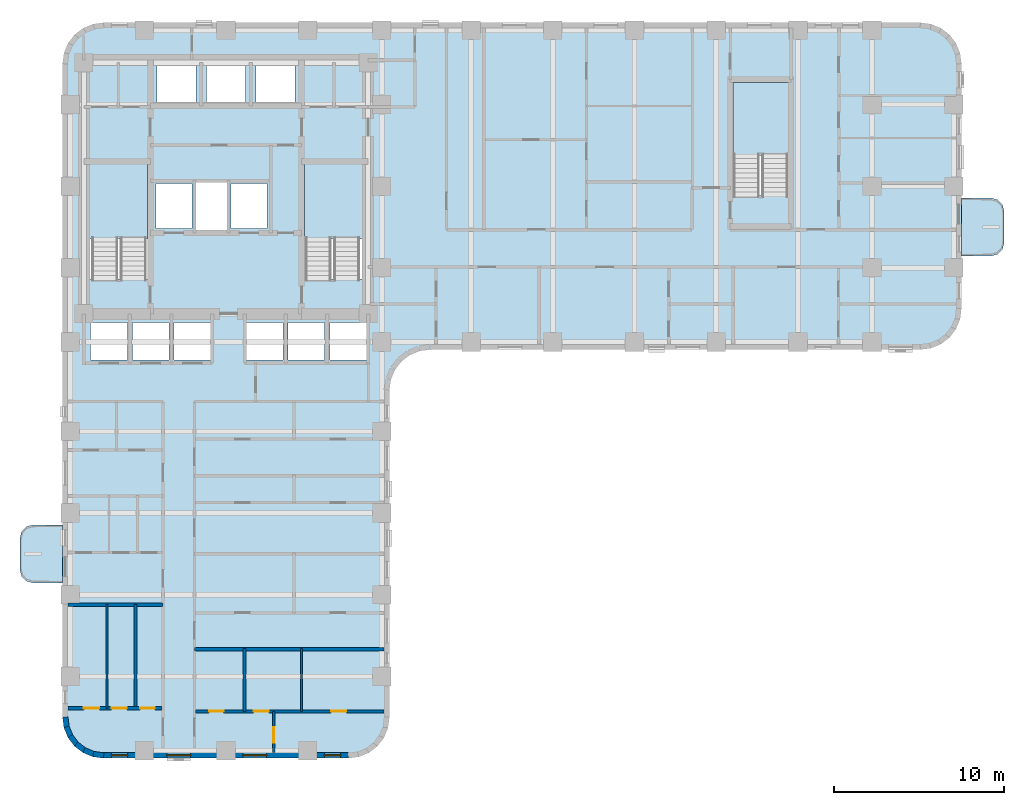
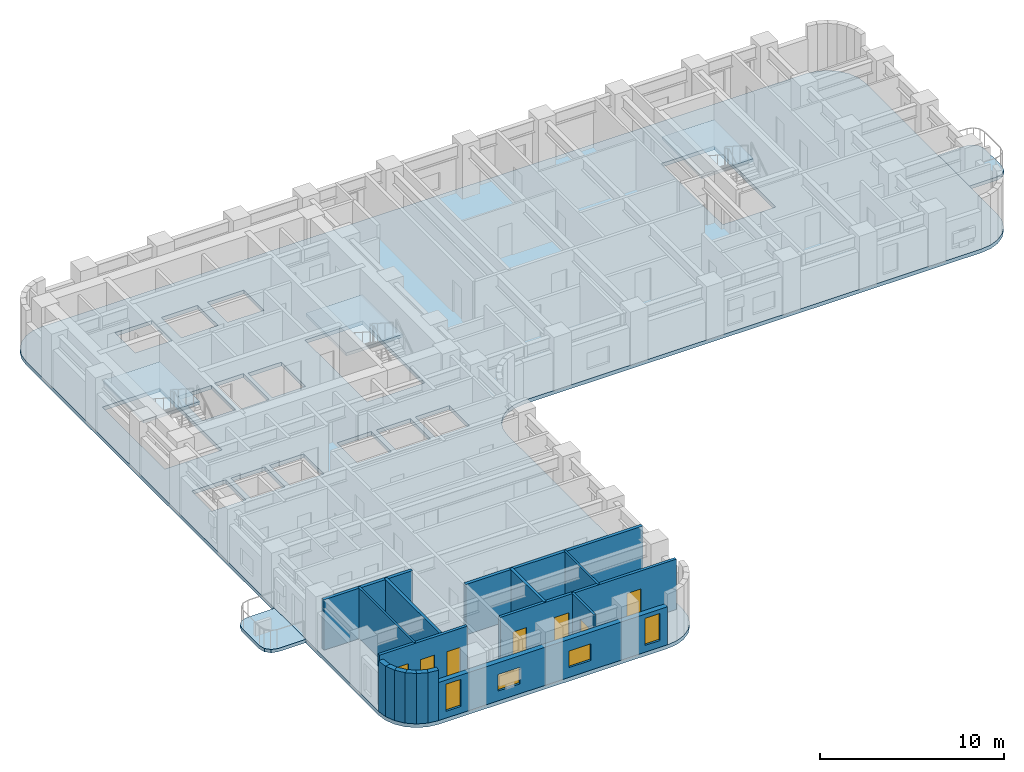
# One storey, part 2 of 12: 16 walls, 7 doors, 6 slabs, 4 windows, 11 openings, 3 elements without a shape of their own.
"""IFC4 building model written with IfcOpenShell, lengths in metres."""

from ifc_helpers import new_model, si_unit, direction, frame, frame_2d, origin, place, context, subcontext, project, spatial, polyline, rectangle, outline, extrude, material, layer, layer_set, type_object, element, fill, aggregate, save


model = new_model("IFC4")

# Units and contexts
model_context = context("Model", 3, precision=1e-05, world=origin(), true_north=direction((0.0, 1.0)))
body_context = subcontext(model_context, "Body", "Model", "MODEL_VIEW")
ifc_project = project(units=[si_unit("LENGTHUNIT", "METRE"), si_unit("AREAUNIT", "SQUARE_METRE"), si_unit("VOLUMEUNIT", "CUBIC_METRE"), si_unit("PLANEANGLEUNIT", "RADIAN"), si_unit("MASSUNIT", "GRAM", prefix="KILO")], contexts=[model_context])

# Site, building, storey
site_placement = place(None, origin())
site = spatial("IfcSite", under=ifc_project, at=site_placement, CompositionType="ELEMENT")
building_placement = place(site_placement, origin())
building = spatial("IfcBuilding", under=site, at=building_placement, Name="Orvandelia Arch Residences", CompositionType="ELEMENT")
storey_placement = place(building_placement, frame((0.0, 0.0, 43.0)))
storey = spatial("IfcBuildingStorey", under=building, at=storey_placement, Name="L10", CompositionType="ELEMENT", Elevation=43.0)

# Slabs
ifc_material_1 = material(Name="Precast concrete C40/50", Category="concrete")
ifc_layer_1 = layer(ifc_material_1, 0.219970703125, Name="Precast concrete C40/50", Category="concrete")
ifc_layer_set_1 = layer_set([ifc_layer_1], Name="Precast concrete C40/50")
slab_type_1 = type_object("IfcSlabType", Name="SLB-BAL-220", PredefinedType="USERDEFINED", material=ifc_layer_set_1)
slab_1_placement = place(storey_placement, frame((0.0, 0.0, -0.219970703125)))
element("IfcSlab", 1, at=slab_1_placement, inside=storey, type_object=slab_type_1, Name="Tree Balcony Cantilever Slab BAL-L10-W1", ObjectType="BALCONY", PredefinedType="USERDEFINED", context=body_context, shape_type="SweptSolid", body=[
    extrude(outline(polyline([(4.800048828125, 15.10009765625), (4.800048828125, 18.5), (3.050048828125, 18.5), (2.675048828125, 18.3994140625), (2.400390625, 18.125), (2.300048828125, 17.75), (2.300048828125, 15.85009765625), (2.400390625, 15.47509765625), (2.675048828125, 15.200439453125), (3.050048828125, 15.10009765625), (4.800048828125, 15.10009765625)])), origin(), (0.0, 0.0, 1.0), 0.219970703125),
])
slab_2_placement = place(storey_placement, frame((0.0, 0.0, -0.219970703125)))
element("IfcSlab", 2, at=slab_2_placement, inside=storey, type_object=slab_type_1, Name="Tree Balcony Cantilever Slab BAL-L10-E1", ObjectType="BALCONY", PredefinedType="USERDEFINED", context=body_context, shape_type="SweptSolid", body=[
    extrude(outline(polyline([(57.60009765625, 37.699951171875), (57.60009765625, 34.300048828125), (59.35009765625, 34.300048828125), (59.72509765625, 34.400390625), (59.99951171875, 34.675048828125), (60.10009765625, 35.050048828125), (60.10009765625, 36.949951171875), (59.99951171875, 37.324951171875), (59.72509765625, 37.599609375), (59.35009765625, 37.699951171875), (57.60009765625, 37.699951171875)])), origin(), (0.0, 0.0, 1.0), 0.219970703125),
])

# Stair, slab
ifc_material_2 = material(Name="Concrete C40/50", Category="concrete")
stair_type = type_object("IfcStairType", Name="STAIR-RC-DOGLEG", PredefinedType="HALF_TURN_STAIR", material=ifc_material_2)
stair_1_placement = place(storey_placement, origin())
stair_1 = element("IfcStair", 3, at=stair_1_placement, inside=storey, type_object=stair_type, Name="L10 Protected Exit Stair ST-1", PredefinedType="HALF_TURN_STAIR")
ifc_layer_2 = layer(ifc_material_2, 0.219970703125, Name="Concrete C40/50", Category="concrete")
ifc_layer_set_2 = layer_set([ifc_layer_2], Name="Concrete C40/50")
slab_type_2 = type_object("IfcSlabType", Name="SLB-LANDING-220", PredefinedType="LANDING", material=ifc_layer_set_2)
slab_3_placement = place(storey_placement, frame((0.0, 0.0, 1.60009765625)))
slab_3 = element("IfcSlab", 4, at=slab_3_placement, type_object=slab_type_2, Name="ST-1 landing 1", PredefinedType="LANDING", context=body_context, shape_type="SweptSolid", body=[
    extrude(outline(polyline([(9.800048828125, 35.31005859375), (9.800048828125, 39.68994140625), (6.260009765625, 39.68994140625), (6.260009765625, 35.31005859375), (9.800048828125, 35.31005859375)])), origin(), (0.0, 0.0, 1.0), 0.199951171875),
])
aggregate(stair_1, [slab_3])

stair_2_placement = place(storey_placement, origin())
stair_2 = element("IfcStair", 5, at=stair_2_placement, inside=storey, type_object=stair_type, Name="L10 Protected Exit Stair ST-2", PredefinedType="HALF_TURN_STAIR")
slab_4_placement = place(storey_placement, frame((0.0, 0.0, 1.60009765625)))
slab_4 = element("IfcSlab", 6, at=slab_4_placement, type_object=slab_type_2, Name="ST-2 landing 1", PredefinedType="LANDING", context=body_context, shape_type="SweptSolid", body=[
    extrude(outline(polyline([(22.5400390625, 35.31005859375), (22.5400390625, 39.68994140625), (19.0, 39.68994140625), (19.0, 35.31005859375), (22.5400390625, 35.31005859375)])), origin(), (0.0, 0.0, 1.0), 0.199951171875),
])
aggregate(stair_2, [slab_4])

stair_3_placement = place(storey_placement, origin())
stair_3 = element("IfcStair", 7, at=stair_3_placement, inside=storey, type_object=stair_type, Name="L10 East Wing Exit Stair ST-3", PredefinedType="HALF_TURN_STAIR")
slab_5_placement = place(storey_placement, frame((0.0, 0.0, 1.60009765625)))
slab_5 = element("IfcSlab", 8, at=slab_5_placement, type_object=slab_type_2, Name="ST-3 landing 1", PredefinedType="LANDING", context=body_context, shape_type="SweptSolid", body=[
    extrude(outline(polyline([(47.43994140625, 40.2099609375), (47.43994140625, 44.5), (44.179931640625, 44.5), (44.179931640625, 40.2099609375), (47.43994140625, 40.2099609375)])), origin(), (0.0, 0.0, 1.0), 0.199951171875),
])
aggregate(stair_3, [slab_5])

# Slab
ifc_layer_3 = layer(ifc_material_2, 0.25, Name="Concrete C40/50", Category="concrete")
ifc_layer_set_3 = layer_set([ifc_layer_3], Name="Concrete C40/50")
slab_type_3 = type_object("IfcSlabType", Name="SLB-TWR-250", PredefinedType="FLOOR", material=ifc_layer_set_3)
slab_6_placement = place(storey_placement, frame((0.0, 0.0, -0.25)))
element("IfcSlab", 9, at=slab_6_placement, inside=storey, type_object=slab_type_3, Name="Structural Floor Slab L10-1", PredefinedType="FLOOR", context=body_context, shape_type="SweptSolid", body=[
    extrude(outline(polyline([(4.800048828125, 7.199951171875), (4.8818359375, 6.578857421875), (5.12158203125, 6.0), (5.5029296875, 5.5029296875), (6.0, 5.12158203125), (6.578857421875, 4.8818359375), (7.199951171875, 4.800048828125), (21.60009765625, 4.800048828125), (22.22119140625, 4.8818359375), (22.800048828125, 5.12158203125), (23.297119140625, 5.5029296875), (23.678466796875, 6.0), (23.918212890625, 6.578857421875), (24.0, 7.199951171875), (24.0, 26.39990234375), (24.081787109375, 27.021240234375), (24.321533203125, 27.60009765625), (24.702880859375, 28.09716796875), (25.199951171875, 28.478515625), (25.77880859375, 28.71826171875), (26.39990234375, 28.800048828125), (55.199951171875, 28.800048828125), (55.8212890625, 28.8818359375), (56.39990234375, 29.12158203125), (56.897216796875, 29.5029296875), (57.278564453125, 30.0), (57.518310546875, 30.578857421875), (57.60009765625, 31.199951171875), (57.60009765625, 45.60009765625), (57.518310546875, 46.22119140625), (57.278564453125, 46.800048828125), (56.897216796875, 47.297119140625), (56.39990234375, 47.678466796875), (55.8212890625, 47.918212890625), (55.199951171875, 48.0), (7.199951171875, 48.0), (6.578857421875, 47.918212890625), (6.0, 47.678466796875), (5.5029296875, 47.297119140625), (5.12158203125, 46.800048828125), (4.8818359375, 46.22119140625), (4.800048828125, 45.60009765625), (4.800048828125, 7.199951171875)]), holes=[polyline([(6.219970703125, 32.949951171875), (9.840087890625, 32.949951171875), (9.840087890625, 39.72998046875), (6.219970703125, 39.72998046875), (6.219970703125, 32.949951171875)]), polyline([(18.9599609375, 32.949951171875), (22.580078125, 32.949951171875), (22.580078125, 39.72998046875), (18.9599609375, 39.72998046875), (18.9599609375, 32.949951171875)]), polyline([(44.139892578125, 37.85009765625), (47.47998046875, 37.85009765625), (47.47998046875, 44.5400390625), (44.139892578125, 44.5400390625), (44.139892578125, 37.85009765625)]), polyline([(12.639892578125, 35.81005859375), (14.4599609375, 35.81005859375), (14.4599609375, 38.639892578125), (12.639892578125, 38.639892578125), (12.639892578125, 35.81005859375)]), polyline([(10.300048828125, 35.89990234375), (12.39990234375, 35.89990234375), (12.39990234375, 38.550048828125), (10.300048828125, 38.550048828125), (10.300048828125, 35.89990234375)]), polyline([(14.699951171875, 35.89990234375), (16.800048828125, 35.89990234375), (16.800048828125, 38.550048828125), (14.699951171875, 38.550048828125), (14.699951171875, 35.89990234375)]), polyline([(10.35009765625, 43.300048828125), (12.64990234375, 43.300048828125), (12.64990234375, 45.5), (10.35009765625, 45.5), (10.35009765625, 43.300048828125)]), polyline([(13.25, 43.300048828125), (15.550048828125, 43.300048828125), (15.550048828125, 45.5), (13.25, 45.5), (13.25, 43.300048828125)]), polyline([(16.14990234375, 43.300048828125), (18.449951171875, 43.300048828125), (18.449951171875, 45.5), (16.14990234375, 45.5), (16.14990234375, 43.300048828125)]), polyline([(6.449951171875, 28.199951171875), (8.60009765625, 28.199951171875), (8.60009765625, 30.39990234375), (6.449951171875, 30.39990234375), (6.449951171875, 28.199951171875)]), polyline([(8.89990234375, 28.199951171875), (11.050048828125, 28.199951171875), (11.050048828125, 30.39990234375), (8.89990234375, 30.39990234375), (8.89990234375, 28.199951171875)]), polyline([(11.35009765625, 28.199951171875), (13.5, 28.199951171875), (13.5, 30.39990234375), (11.35009765625, 30.39990234375), (11.35009765625, 28.199951171875)]), polyline([(15.60009765625, 28.199951171875), (17.75, 28.199951171875), (17.75, 30.39990234375), (15.60009765625, 30.39990234375), (15.60009765625, 28.199951171875)]), polyline([(18.050048828125, 28.199951171875), (20.199951171875, 28.199951171875), (20.199951171875, 30.39990234375), (18.050048828125, 30.39990234375), (18.050048828125, 28.199951171875)]), polyline([(20.5, 28.199951171875), (22.64990234375, 28.199951171875), (22.64990234375, 30.39990234375), (20.5, 30.39990234375), (20.5, 28.199951171875)])]), origin(), (0.0, 0.0, 1.0), 0.25),
])

# Walls
ifc_layer_4 = layer(ifc_material_2, 0.199951171875, Name="Concrete C40/50", Category="concrete")
ifc_layer_set_4 = layer_set([ifc_layer_4], Name="Concrete C40/50")
wall_type_1 = type_object("IfcWallType", Name="WL-DEM-200", PredefinedType="SOLIDWALL", material=ifc_layer_set_4)
wall_1_placement = place(storey_placement, frame((5.1201171875, 13.800048828125, 0.0), z_axis=(0.0, 0.0, 1.0), x_axis=(1.0, 0.0, 0.0)))
element("IfcWall", 10, at=wall_1_placement, inside=storey, type_object=wall_type_1, Name="Interior Partition Wall WL-L10-DEM-WL-138", PredefinedType="SOLIDWALL", context=body_context, shape_type="SweptSolid", body=[
    extrude(rectangle(XDim=5.579833984375, YDim=0.199951171875, at=frame_2d((2.7900390625, 0.0))), origin(), (0.0, 0.0, 1.0), 3.35009765625),
])
wall_2_placement = place(storey_placement, frame((12.550048828125, 11.199951171875, 0.0), z_axis=(0.0, 0.0, 1.0), x_axis=(1.0, 0.0, 0.0)))
element("IfcWall", 11, at=wall_2_placement, inside=storey, type_object=wall_type_1, Name="Interior Partition Wall WL-L10-DEM-WR-112", PredefinedType="SOLIDWALL", context=body_context, shape_type="SweptSolid", body=[
    extrude(rectangle(XDim=11.1298828125, YDim=0.199951171875, at=frame_2d((5.56494140625, 0.0))), origin(), (0.0, 0.0, 1.0), 3.35009765625),
])

# Wall, openings, windows
ifc_layer_5 = layer(ifc_material_1, 0.320068359375, Name="Precast concrete C40/50", Category="concrete")
ifc_layer_set_5 = layer_set([ifc_layer_5], Name="Precast concrete C40/50")
wall_type_2 = type_object("IfcWallType", Name="WL-EXT-STONE-320", PredefinedType="STANDARD", material=ifc_layer_set_5)
wall_3_placement = place(storey_placement, frame((21.60009765625, 4.9599609375, 0.0), z_axis=(0.0, 0.0, 1.0), x_axis=(-1.0, 0.0, 0.0)))
wall_3 = element("IfcWall", 12, at=wall_3_placement, inside=storey, type_object=wall_type_2, Name="Coral-Limestone Precast Facade Wall L10-035", PredefinedType="STANDARD", context=body_context, shape_type="SweptSolid", body=[
    extrude(rectangle(XDim=14.400146484375, YDim=0.320068359375, at=frame_2d((7.2001953125, 0.0))), origin(), (0.0, 0.0, 1.0), 2.530029296875),
])
opening_1_placement = place(wall_3_placement, frame((12.97998046875, 0.0, 0.449951171875)))
opening_1 = element("IfcOpeningElement", 13, at=opening_1_placement, cuts=wall_3, Name="Opening W4", PredefinedType="OPENING", context=body_context, shape_type="SweptSolid", body=[
    extrude(rectangle(XDim=0.949951171875, YDim=1.800048828125, at=frame_2d((0.47509765625, 0.89990234375))), frame((0.0, 0.169921875, 0.0), z_axis=(0.0, -1.0, 0.0), x_axis=(1.0, 0.0, 0.0)), (0.0, 0.0, 1.0), 0.340087890625),
])
opening_2_placement = place(wall_3_placement, frame((9.27490234375, 0.0, 0.64990234375)))
opening_2 = element("IfcOpeningElement", 14, at=opening_2_placement, cuts=wall_3, Name="Opening W10", PredefinedType="OPENING", context=body_context, shape_type="SweptSolid", body=[
    extrude(rectangle(XDim=1.39990234375, YDim=1.10009765625, at=frame_2d((0.699951171875, 0.550048828125))), frame((0.0, 0.169921875, 0.0), z_axis=(0.0, -1.0, 0.0), x_axis=(1.0, 0.0, 0.0)), (0.0, 0.0, 1.0), 0.340087890625),
])
opening_3_placement = place(wall_3_placement, frame((4.8115234375, 0.0, 0.64990234375)))
opening_3 = element("IfcOpeningElement", 15, at=opening_3_placement, cuts=wall_3, Name="Opening W10", PredefinedType="OPENING", context=body_context, shape_type="SweptSolid", body=[
    extrude(rectangle(XDim=1.39990234375, YDim=1.10009765625, at=frame_2d((0.699951171875, 0.550048828125))), frame((0.0, 0.169921875, 0.0), z_axis=(0.0, -1.0, 0.0), x_axis=(1.0, 0.0, 0.0)), (0.0, 0.0, 1.0), 0.340087890625),
])
opening_4_placement = place(wall_3_placement, frame((0.469970703125, 0.0, 0.449951171875)))
opening_4 = element("IfcOpeningElement", 16, at=opening_4_placement, cuts=wall_3, Name="Opening W4", PredefinedType="OPENING", context=body_context, shape_type="SweptSolid", body=[
    extrude(rectangle(XDim=0.949951171875, YDim=1.800048828125, at=frame_2d((0.47509765625, 0.89990234375))), frame((0.0, 0.169921875, 0.0), z_axis=(0.0, -1.0, 0.0), x_axis=(1.0, 0.0, 0.0)), (0.0, 0.0, 1.0), 0.340087890625),
])
ifc_material_3 = material(Name="Tempered Low-E Insulated Glazing", Category="glass")
window_type_1 = type_object("IfcWindowType", Name="WIN-CLR-1400x1100", PartitioningType="SINGLE_PANEL", PredefinedType="WINDOW", material=ifc_material_3)
window_1_placement = place(opening_2_placement, origin())
window_1 = element("IfcWindow", 17, at=window_1_placement, inside=storey, type_object=window_type_1, Name="Recessed Punched Window L10-027", OverallHeight=1.10009765625, OverallWidth=1.39990234375, PartitioningType="SINGLE_PANEL", PredefinedType="WINDOW", context=body_context, shape_type="SweptSolid", body=[
    extrude(rectangle(XDim=1.39990234375, YDim=1.10009765625, at=frame_2d((0.699951171875, 0.550048828125))), frame((0.0, 0.030029296875, 0.0), z_axis=(0.0, -1.0, 0.0), x_axis=(1.0, 0.0, 0.0)), (0.0, 0.0, 1.0), 0.06005859375),
])
fill(opening_2, window_1)
window_2_placement = place(opening_3_placement, origin())
window_2 = element("IfcWindow", 18, at=window_2_placement, inside=storey, type_object=window_type_1, Name="Recessed Punched Window L10-028", OverallHeight=1.10009765625, OverallWidth=1.39990234375, PartitioningType="SINGLE_PANEL", PredefinedType="WINDOW", context=body_context, shape_type="SweptSolid", body=[
    extrude(rectangle(XDim=1.39990234375, YDim=1.10009765625, at=frame_2d((0.699951171875, 0.550048828125))), frame((0.0, 0.030029296875, 0.0), z_axis=(0.0, -1.0, 0.0), x_axis=(1.0, 0.0, 0.0)), (0.0, 0.0, 1.0), 0.06005859375),
])
fill(opening_3, window_2)
window_type_2 = type_object("IfcWindowType", Name="WIN-RES-0950x1800", PartitioningType="SINGLE_PANEL", PredefinedType="WINDOW", material=ifc_material_3)
window_3_placement = place(opening_1_placement, origin())
window_3 = element("IfcWindow", 19, at=window_3_placement, inside=storey, type_object=window_type_2, Name="Recessed Punched Window L10-026", OverallHeight=1.800048828125, OverallWidth=0.949951171875, PartitioningType="SINGLE_PANEL", PredefinedType="WINDOW", context=body_context, shape_type="SweptSolid", body=[
    extrude(rectangle(XDim=0.949951171875, YDim=1.800048828125, at=frame_2d((0.47509765625, 0.89990234375))), frame((0.0, 0.030029296875, 0.0), z_axis=(0.0, -1.0, 0.0), x_axis=(1.0, 0.0, 0.0)), (0.0, 0.0, 1.0), 0.06005859375),
])
fill(opening_1, window_3)
window_4_placement = place(opening_4_placement, origin())
window_4 = element("IfcWindow", 20, at=window_4_placement, inside=storey, type_object=window_type_2, Name="Recessed Punched Window L10-029", OverallHeight=1.800048828125, OverallWidth=0.949951171875, PartitioningType="SINGLE_PANEL", PredefinedType="WINDOW", context=body_context, shape_type="SweptSolid", body=[
    extrude(rectangle(XDim=0.949951171875, YDim=1.800048828125, at=frame_2d((0.47509765625, 0.89990234375))), frame((0.0, 0.030029296875, 0.0), z_axis=(0.0, -1.0, 0.0), x_axis=(1.0, 0.0, 0.0)), (0.0, 0.0, 1.0), 0.06005859375),
])
fill(opening_4, window_4)

# Walls
wall_4_placement = place(storey_placement, frame((7.220947265625, 4.95849609375, 0.0), z_axis=(0.0, 0.0, 1.0), x_axis=(-0.991447664465, 0.130504898859, 0.0)))
element("IfcWall", 21, at=wall_4_placement, inside=storey, type_object=wall_type_2, Name="Coral-Limestone Precast Facade Wall L10-036", PredefinedType="STANDARD", context=body_context, shape_type="SweptSolid", body=[
    extrude(rectangle(XDim=0.626708984375, YDim=0.320068359375, at=frame_2d((0.3134765625, 0.0))), origin(), (0.0, 0.0, 1.0), 3.35009765625),
])
wall_5_placement = place(storey_placement, frame((6.639892578125, 5.029541015625, 0.0), z_axis=(0.0, 0.0, 1.0), x_axis=(-0.923836271867, 0.382787856107, 0.0)))
element("IfcWall", 22, at=wall_5_placement, inside=storey, type_object=wall_type_2, Name="Coral-Limestone Precast Facade Wall L10-037", PredefinedType="STANDARD", context=body_context, shape_type="SweptSolid", body=[
    extrude(rectangle(XDim=0.626220703125, YDim=0.320068359375, at=frame_2d((0.31298828125, 0.0))), origin(), (0.0, 0.0, 1.0), 3.35009765625),
])
for number, where, z_axis, x_axis, name in (
    (23, (6.097412109375, 5.248291015625, 0.0), (0.0, 0.0, 1.0), (-0.7932174212, 0.608938521285, 0.0), "Coral-Limestone Precast Facade Wall L10-038"),
    (24, (5.6298828125, 5.600341796875, 0.0), (0.0, 0.0, 1.0), (-0.608938521285, 0.7932174212, 0.0), "Coral-Limestone Precast Facade Wall L10-039"),
):
    element("IfcWall", number, at=place(storey_placement, frame(where, z_axis=z_axis, x_axis=x_axis)), inside=storey, type_object=wall_type_2, Name=name, PredefinedType="STANDARD", context=body_context, shape_type="SweptSolid", body=[
        extrude(rectangle(XDim=0.626708984375, YDim=0.320068359375, at=frame_2d((0.3134765625, 0.0))), origin(), (0.0, 0.0, 1.0), 3.35009765625),
    ])
wall_6_placement = place(storey_placement, frame((5.269287109375, 6.061279296875, 0.0), z_axis=(0.0, 0.0, 1.0), x_axis=(-0.382787856107, 0.923836271867, 0.0)))
element("IfcWall", 25, at=wall_6_placement, inside=storey, type_object=wall_type_2, Name="Coral-Limestone Precast Facade Wall L10-040", PredefinedType="STANDARD", context=body_context, shape_type="SweptSolid", body=[
    extrude(rectangle(XDim=0.626220703125, YDim=0.320068359375, at=frame_2d((0.31298828125, 0.0))), origin(), (0.0, 0.0, 1.0), 3.35009765625),
])
wall_7_placement = place(storey_placement, frame((5.040283203125, 6.599609375, 0.0), z_axis=(0.0, 0.0, 1.0), x_axis=(-0.130504898859, 0.991447664465, 0.0)))
element("IfcWall", 26, at=wall_7_placement, inside=storey, type_object=wall_type_2, Name="Coral-Limestone Precast Facade Wall L10-041", PredefinedType="STANDARD", context=body_context, shape_type="SweptSolid", body=[
    extrude(rectangle(XDim=0.626708984375, YDim=0.320068359375, at=frame_2d((0.3134765625, 0.0))), origin(), (0.0, 0.0, 1.0), 3.35009765625),
])
ifc_material_4 = material(Name="Lightweight Gypsum Stud Partition")
ifc_layer_6 = layer(ifc_material_4, 0.1201171875, Name="Lightweight Gypsum Stud Partition")
ifc_layer_set_6 = layer_set([ifc_layer_6], Name="Lightweight Gypsum Stud Partition")
wall_type_3 = type_object("IfcWallType", Name="WL-PART-120", PredefinedType="PARTITIONING", material=ifc_layer_set_6)
wall_8_placement = place(storey_placement, frame((7.404052734375, 7.73193359375, 0.0), z_axis=(0.0, 0.0, 1.0), x_axis=(0.0, 1.0, 0.0)))
element("IfcWall", 27, at=wall_8_placement, inside=storey, type_object=wall_type_3, Name="Interior Partition Wall WL-L10-U01-V1", PredefinedType="PARTITIONING", context=body_context, shape_type="SweptSolid", body=[
    extrude(rectangle(XDim=6.108154296875, YDim=0.1201171875, at=frame_2d((3.05419921875, 0.0))), origin(), (0.0, 0.0, 1.0), 3.35009765625),
])
wall_9_placement = place(storey_placement, frame((18.843017578125, 7.548095703125, 0.0), z_axis=(0.0, 0.0, 1.0), x_axis=(0.0, 1.0, 0.0)))
element("IfcWall", 28, at=wall_9_placement, inside=storey, type_object=wall_type_3, Name="Interior Partition Wall WL-L10-U04-V2", PredefinedType="PARTITIONING", context=body_context, shape_type="SweptSolid", body=[
    extrude(rectangle(XDim=3.69189453125, YDim=0.1201171875, at=frame_2d((1.845947265625, 0.0))), origin(), (0.0, 0.0, 1.0), 3.35009765625),
])

# Wall, opening, door
ifc_material_5 = material(Name="Double-Layer Acoustic Gypsum Partition")
ifc_layer_7 = layer(ifc_material_5, 0.135009765625, Name="Double-Layer Acoustic Gypsum Partition")
ifc_layer_set_7 = layer_set([ifc_layer_7], Name="Double-Layer Acoustic Gypsum Partition")
wall_type_4 = type_object("IfcWallType", Name="WL-PART-135", PredefinedType="PARTITIONING", material=ifc_layer_set_7)
wall_10_placement = place(storey_placement, frame((17.20703125, 5.1201171875, 0.0), z_axis=(0.0, 0.0, 1.0), x_axis=(0.0, 1.0, 0.0)))
wall_10 = element("IfcWall", 29, at=wall_10_placement, inside=storey, type_object=wall_type_4, Name="Interior Partition Wall WL-L10-U04-DIN", PredefinedType="PARTITIONING", context=body_context, shape_type="SweptSolid", body=[
    extrude(rectangle(XDim=2.427978515625, YDim=0.135009765625, at=frame_2d((1.2138671875, 0.0))), origin(), (0.0, 0.0, 1.0), 3.35009765625),
])
opening_5_placement = place(wall_10_placement, frame((0.585693359375, 0.0, 0.0)))
opening_5 = element("IfcOpeningElement", 30, at=opening_5_placement, cuts=wall_10, Name="Opening D3", PredefinedType="OPENING", context=body_context, shape_type="SweptSolid", body=[
    extrude(rectangle(XDim=0.89990234375, YDim=2.14990234375, at=frame_2d((0.449951171875, 1.074951171875))), frame((0.0, 0.07763671875, 0.0), z_axis=(0.0, -1.0, 0.0), x_axis=(1.0, 0.0, 0.0)), (0.0, 0.0, 1.0), 0.155029296875),
])
ifc_material_6 = material(Name="Engineered Timber Flush Door", Category="wood")
door_type_1 = type_object("IfcDoorType", Name="DR-INT-900", OperationType="NOTDEFINED", PredefinedType="DOOR", material=ifc_material_6)
door_1_placement = place(opening_5_placement, origin())
door_1 = element("IfcDoor", 31, at=door_1_placement, inside=storey, type_object=door_type_1, Name="DR-L10-U04-DIN", OperationType="SINGLE_SWING_LEFT", OverallHeight=2.14990234375, OverallWidth=0.89990234375, PredefinedType="DOOR", context=body_context, shape_type="SweptSolid", body=[
    extrude(rectangle(XDim=0.89990234375, YDim=2.14990234375, at=frame_2d((0.449951171875, 1.074951171875))), frame((0.0, 0.02490234375, 0.0), z_axis=(0.0, -1.0, 0.0), x_axis=(1.0, 0.0, 0.0)), (0.0, 0.0, 1.0), 0.050048828125),
])
fill(opening_5, door_1)

# Wall, openings, doors
ifc_material_7 = material(Name="Moisture-Resistant Plumbing Wall")
ifc_layer_8 = layer(ifc_material_7, 0.179931640625, Name="Moisture-Resistant Plumbing Wall")
ifc_layer_set_8 = layer_set([ifc_layer_8], Name="Moisture-Resistant Plumbing Wall")
wall_type_5 = type_object("IfcWallType", Name="WL-WET-180", PredefinedType="PLUMBINGWALL", material=ifc_layer_set_8)
wall_11_placement = place(storey_placement, frame((5.1201171875, 7.73193359375, 0.0), z_axis=(0.0, 0.0, 1.0), x_axis=(1.0, 0.0, 0.0)))
wall_11 = element("IfcWall", 32, at=wall_11_placement, inside=storey, type_object=wall_type_5, Name="Interior Partition Wall WL-L10-U01-HZ", PredefinedType="PLUMBINGWALL", context=body_context, shape_type="SweptSolid", body=[
    extrude(rectangle(XDim=5.519775390625, YDim=0.179931640625, at=frame_2d((2.759765625, 0.0))), origin(), (0.0, 0.0, 1.0), 3.35009765625),
])
opening_6_placement = place(wall_11_placement, frame((0.93701171875, 0.0, 0.0)))
opening_6 = element("IfcOpeningElement", 33, at=opening_6_placement, cuts=wall_11, Name="Opening D3", PredefinedType="OPENING", context=body_context, shape_type="SweptSolid", body=[
    extrude(rectangle(XDim=0.89990234375, YDim=2.14990234375, at=frame_2d((0.449951171875, 1.074951171875))), frame((0.0, 0.10009765625, 0.0), z_axis=(0.0, -1.0, 0.0), x_axis=(1.0, 0.0, 0.0)), (0.0, 0.0, 1.0), 0.199951171875),
])
opening_7_placement = place(wall_11_placement, frame((2.56396484375, 0.0, 0.0)))
opening_7 = element("IfcOpeningElement", 34, at=opening_7_placement, cuts=wall_11, Name="Opening D3", PredefinedType="OPENING", context=body_context, shape_type="SweptSolid", body=[
    extrude(rectangle(XDim=0.89990234375, YDim=2.14990234375, at=frame_2d((0.449951171875, 1.074951171875))), frame((0.0, 0.10009765625, 0.0), z_axis=(0.0, -1.0, 0.0), x_axis=(1.0, 0.0, 0.0)), (0.0, 0.0, 1.0), 0.199951171875),
])
opening_8_placement = place(wall_11_placement, frame((4.238037109375, 0.0, 0.0)))
opening_8 = element("IfcOpeningElement", 35, at=opening_8_placement, cuts=wall_11, Name="Opening D4", PredefinedType="OPENING", context=body_context, shape_type="SweptSolid", body=[
    extrude(rectangle(XDim=0.860107421875, YDim=2.10009765625, at=frame_2d((0.43017578125, 1.050048828125))), frame((0.0, 0.10009765625, 0.0), z_axis=(0.0, -1.0, 0.0), x_axis=(1.0, 0.0, 0.0)), (0.0, 0.0, 1.0), 0.199951171875),
])
door_2_placement = place(opening_6_placement, origin())
door_2 = element("IfcDoor", 36, at=door_2_placement, inside=storey, type_object=door_type_1, Name="DR-L10-U01-STDY", OperationType="SINGLE_SWING_LEFT", OverallHeight=2.14990234375, OverallWidth=0.89990234375, PredefinedType="DOOR", context=body_context, shape_type="SweptSolid", body=[
    extrude(rectangle(XDim=0.89990234375, YDim=2.14990234375, at=frame_2d((0.449951171875, 1.074951171875))), frame((0.0, 0.02490234375, 0.0), z_axis=(0.0, -1.0, 0.0), x_axis=(1.0, 0.0, 0.0)), (0.0, 0.0, 1.0), 0.050048828125),
])
fill(opening_6, door_2)
door_3_placement = place(opening_7_placement, origin())
door_3 = element("IfcDoor", 37, at=door_3_placement, inside=storey, type_object=door_type_1, Name="DR-L10-U01-KIT", OperationType="SINGLE_SWING_RIGHT", OverallHeight=2.14990234375, OverallWidth=0.89990234375, PredefinedType="DOOR", context=body_context, shape_type="SweptSolid", body=[
    extrude(rectangle(XDim=0.89990234375, YDim=2.14990234375, at=frame_2d((0.449951171875, 1.074951171875))), frame((0.0, 0.02490234375, 0.0), z_axis=(0.0, -1.0, 0.0), x_axis=(1.0, 0.0, 0.0)), (0.0, 0.0, 1.0), 0.050048828125),
])
fill(opening_7, door_3)
ifc_material_8 = material(Name="Moisture-Sealed Timber Bathroom Door", Category="wood")
door_type_2 = type_object("IfcDoorType", Name="DR-WET-900", OperationType="NOTDEFINED", PredefinedType="DOOR", material=ifc_material_8)
door_4_placement = place(opening_8_placement, origin())
door_4 = element("IfcDoor", 38, at=door_4_placement, inside=storey, type_object=door_type_2, Name="DR-L10-U01-BTH", OperationType="SINGLE_SWING_LEFT", OverallHeight=2.10009765625, OverallWidth=0.860107421875, PredefinedType="DOOR", context=body_context, shape_type="SweptSolid", body=[
    extrude(rectangle(XDim=0.860107421875, YDim=2.10009765625, at=frame_2d((0.43017578125, 1.050048828125))), frame((0.0, 0.02490234375, 0.0), z_axis=(0.0, -1.0, 0.0), x_axis=(1.0, 0.0, 0.0)), (0.0, 0.0, 1.0), 0.050048828125),
])
fill(opening_8, door_4)

# Wall
wall_12_placement = place(storey_placement, frame((9.077880859375, 7.73193359375, 0.0), z_axis=(0.0, 0.0, 1.0), x_axis=(0.0, 1.0, 0.0)))
element("IfcWall", 39, at=wall_12_placement, inside=storey, type_object=wall_type_5, Name="Interior Partition Wall WL-L10-U01-V2", PredefinedType="PLUMBINGWALL", context=body_context, shape_type="SweptSolid", body=[
    extrude(rectangle(XDim=6.108154296875, YDim=0.179931640625, at=frame_2d((3.05419921875, 0.0))), origin(), (0.0, 0.0, 1.0), 3.35009765625),
])

# Wall, openings, doors
wall_13_placement = place(storey_placement, frame((12.610107421875, 7.548095703125, 0.0), z_axis=(0.0, 0.0, 1.0), x_axis=(1.0, 0.0, 0.0)))
wall_13 = element("IfcWall", 40, at=wall_13_placement, inside=storey, type_object=wall_type_5, Name="Interior Partition Wall WL-L10-U04-HZ", PredefinedType="PLUMBINGWALL", context=body_context, shape_type="SweptSolid", body=[
    extrude(rectangle(XDim=11.06982421875, YDim=0.179931640625, at=frame_2d((5.534912109375, 0.0))), origin(), (0.0, 0.0, 1.0), 3.35009765625),
])
opening_9_placement = place(wall_13_placement, frame((0.795166015625, 0.0, 0.0)))
opening_9 = element("IfcOpeningElement", 41, at=opening_9_placement, cuts=wall_13, Name="Opening D4", PredefinedType="OPENING", context=body_context, shape_type="SweptSolid", body=[
    extrude(rectangle(XDim=0.860107421875, YDim=2.10009765625, at=frame_2d((0.43017578125, 1.050048828125))), frame((0.0, 0.10009765625, 0.0), z_axis=(0.0, -1.0, 0.0), x_axis=(1.0, 0.0, 0.0)), (0.0, 0.0, 1.0), 0.199951171875),
])
opening_10_placement = place(wall_13_placement, frame((3.414306640625, 0.0, 0.0)))
opening_10 = element("IfcOpeningElement", 42, at=opening_10_placement, cuts=wall_13, Name="Opening D3", PredefinedType="OPENING", context=body_context, shape_type="SweptSolid", body=[
    extrude(rectangle(XDim=0.89990234375, YDim=2.14990234375, at=frame_2d((0.449951171875, 1.074951171875))), frame((0.0, 0.10009765625, 0.0), z_axis=(0.0, -1.0, 0.0), x_axis=(1.0, 0.0, 0.0)), (0.0, 0.0, 1.0), 0.199951171875),
])
opening_11_placement = place(wall_13_placement, frame((7.964111328125, 0.0, 0.0)))
opening_11 = element("IfcOpeningElement", 43, at=opening_11_placement, cuts=wall_13, Name="Opening D3", PredefinedType="OPENING", context=body_context, shape_type="SweptSolid", body=[
    extrude(rectangle(XDim=0.89990234375, YDim=2.14990234375, at=frame_2d((0.449951171875, 1.074951171875))), frame((0.0, 0.10009765625, 0.0), z_axis=(0.0, -1.0, 0.0), x_axis=(1.0, 0.0, 0.0)), (0.0, 0.0, 1.0), 0.199951171875),
])
door_5_placement = place(opening_10_placement, origin())
door_5 = element("IfcDoor", 44, at=door_5_placement, inside=storey, type_object=door_type_1, Name="DR-L10-U04-KIT", OperationType="SINGLE_SWING_RIGHT", OverallHeight=2.14990234375, OverallWidth=0.89990234375, PredefinedType="DOOR", context=body_context, shape_type="SweptSolid", body=[
    extrude(rectangle(XDim=0.89990234375, YDim=2.14990234375, at=frame_2d((0.449951171875, 1.074951171875))), frame((0.0, 0.02490234375, 0.0), z_axis=(0.0, -1.0, 0.0), x_axis=(1.0, 0.0, 0.0)), (0.0, 0.0, 1.0), 0.050048828125),
])
fill(opening_10, door_5)
door_6_placement = place(opening_11_placement, origin())
door_6 = element("IfcDoor", 45, at=door_6_placement, inside=storey, type_object=door_type_1, Name="DR-L10-U04-BD1", OperationType="SINGLE_SWING_LEFT", OverallHeight=2.14990234375, OverallWidth=0.89990234375, PredefinedType="DOOR", context=body_context, shape_type="SweptSolid", body=[
    extrude(rectangle(XDim=0.89990234375, YDim=2.14990234375, at=frame_2d((0.449951171875, 1.074951171875))), frame((0.0, 0.02490234375, 0.0), z_axis=(0.0, -1.0, 0.0), x_axis=(1.0, 0.0, 0.0)), (0.0, 0.0, 1.0), 0.050048828125),
])
fill(opening_11, door_6)
door_7_placement = place(opening_9_placement, origin())
door_7 = element("IfcDoor", 46, at=door_7_placement, inside=storey, type_object=door_type_2, Name="DR-L10-U04-BTH", OperationType="SINGLE_SWING_LEFT", OverallHeight=2.10009765625, OverallWidth=0.860107421875, PredefinedType="DOOR", context=body_context, shape_type="SweptSolid", body=[
    extrude(rectangle(XDim=0.860107421875, YDim=2.10009765625, at=frame_2d((0.43017578125, 1.050048828125))), frame((0.0, 0.02490234375, 0.0), z_axis=(0.0, -1.0, 0.0), x_axis=(1.0, 0.0, 0.0)), (0.0, 0.0, 1.0), 0.050048828125),
])
fill(opening_9, door_7)

# Wall
wall_14_placement = place(storey_placement, frame((15.47705078125, 7.548095703125, 0.0), z_axis=(0.0, 0.0, 1.0), x_axis=(0.0, 1.0, 0.0)))
element("IfcWall", 47, at=wall_14_placement, inside=storey, type_object=wall_type_5, Name="Interior Partition Wall WL-L10-U04-V1", PredefinedType="PLUMBINGWALL", context=body_context, shape_type="SweptSolid", body=[
    extrude(rectangle(XDim=3.69189453125, YDim=0.179931640625, at=frame_2d((1.845947265625, 0.0))), origin(), (0.0, 0.0, 1.0), 3.35009765625),
])

save(model, "model.ifc")
